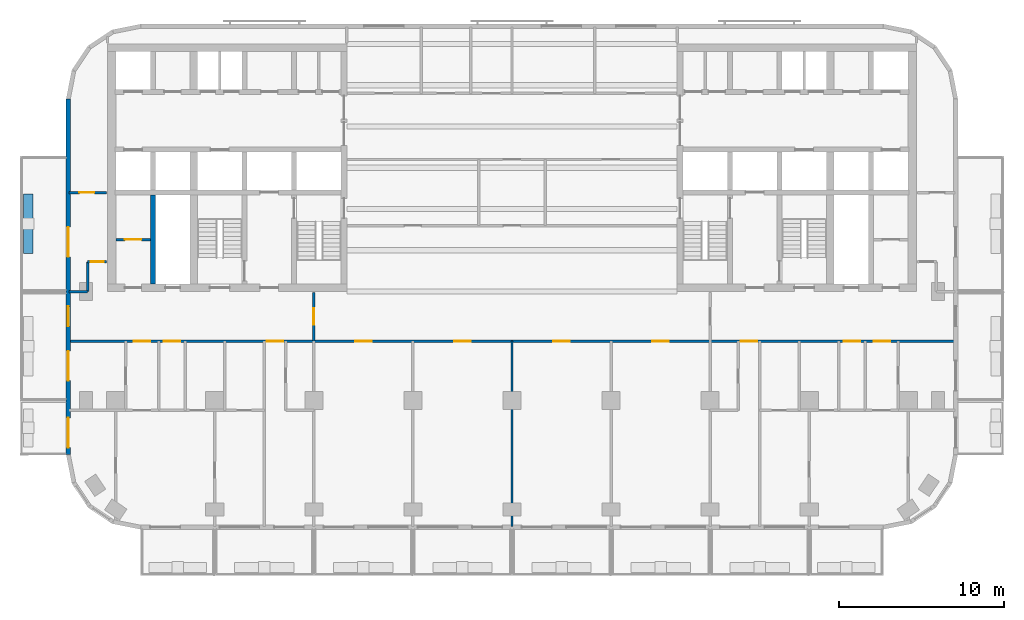
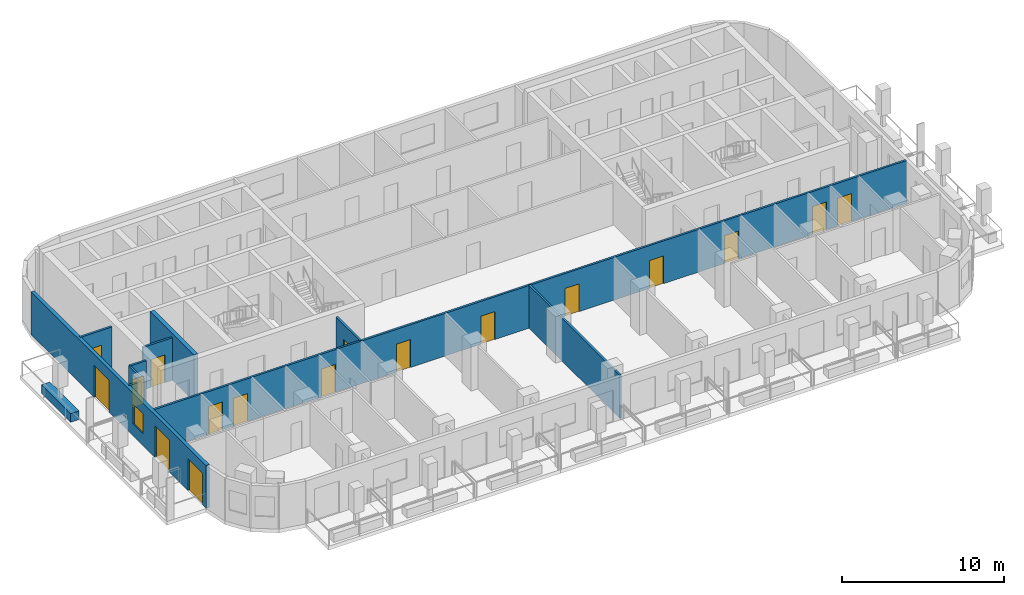
# One storey, part 3 of 12: 17 doors, 11 walls, 1 window, 18 openings.
"""IFC4 building model written with IfcOpenShell, lengths in metres."""

from ifc_helpers import new_model, si_unit, direction, frame, frame_2d, origin, place, context, subcontext, project, spatial, rectangle, extrude, material, layer, layer_set, type_object, element, fill, save


model = new_model("IFC4")

# Units and contexts
model_context = context("Model", 3, precision=1e-05, world=origin(), true_north=direction((0.0, 1.0)))
body_context = subcontext(model_context, "Body", "Model", "MODEL_VIEW")
ifc_project = project(units=[si_unit("LENGTHUNIT", "METRE"), si_unit("AREAUNIT", "SQUARE_METRE"), si_unit("VOLUMEUNIT", "CUBIC_METRE"), si_unit("PLANEANGLEUNIT", "RADIAN"), si_unit("MASSUNIT", "GRAM", prefix="KILO")], contexts=[model_context])

# Site, building, storey
site_placement = place(None, origin())
site = spatial("IfcSite", under=ifc_project, at=site_placement, CompositionType="ELEMENT")
building_placement = place(site_placement, origin())
building = spatial("IfcBuilding", under=site, at=building_placement, Name="Torana Hotel and Residences", CompositionType="ELEMENT")
storey_placement = place(building_placement, frame((0.0, 0.0, 201.10009765625)))
storey = spatial("IfcBuildingStorey", under=building, at=storey_placement, Name="L52", CompositionType="ELEMENT", Elevation=201.10009765625)

# Wall
ifc_material_1 = material(Name="Concrete C70/85", Category="concrete")
ifc_layer_1 = layer(ifc_material_1, 0.300048828125)
ifc_layer_set_1 = layer_set([ifc_layer_1], Name="CORE WALL 300 C70/85")
wall_type_1 = type_object("IfcWallType", Name="CORE WALL 300 C70/85", PredefinedType="SHEAR", material=ifc_layer_set_1)
wall_1_placement = place(storey_placement, frame((-21.75, -14.550048828125, 0.0), z_axis=(0.0, 0.0, 1.0), x_axis=(0.0, 1.0, 0.0)))
element("IfcWall", 1, at=wall_1_placement, inside=storey, type_object=wall_type_1, Name="Core wall W mm-band", PredefinedType="SHEAR", context=body_context, shape_type="SweptSolid", body=[
    extrude(rectangle(XDim=5.400146484375, YDim=0.300048828125, at=frame_2d((2.7001953125, 0.0))), origin(), (0.0, 0.0, 1.0), 3.5),
])

# Wall, openings, doors, window
ifc_material_2 = material(Name="Black aluminium composite panel", Category="aluminium")
ifc_layer_2 = layer(ifc_material_2, 0.00390625, Name="Cladding", Category="cladding")
ifc_material_3 = material(Name="Ventilated air cavity")
ifc_layer_3 = layer(ifc_material_3, 0.0400390625, Name="Ventilated cavity", Category="cavity")
ifc_material_4 = material(Name="Mineral wool insulation")
ifc_layer_4 = layer(ifc_material_4, 0.090087890625, Name="Insulation", Category="insulation")
ifc_material_5 = material(Name="Steel S280GD", Category="steel")
ifc_layer_5 = layer(ifc_material_5, 0.092041015625, Name="Steel stud frame", Category="structure")
ifc_material_6 = material(Name="Fire rated plasterboard")
ifc_layer_6 = layer(ifc_material_6, 0.011962890625, Name="Inner board", Category="finish")
ifc_layer_7 = layer(ifc_material_6, 0.011962890625, Name="Second board", Category="finish")
ifc_layer_set_2 = layer_set([ifc_layer_2, ifc_layer_3, ifc_layer_4, ifc_layer_5, ifc_layer_6, ifc_layer_7], Name="EW1 EXTERNAL WALL BLACK METAL CLAD 250")
wall_type_2 = type_object("IfcWallType", Name="EW1 EXTERNAL WALL BLACK METAL CLAD 250", PredefinedType="SOLIDWALL", material=ifc_layer_set_2)
wall_2_placement = place(storey_placement, frame((-26.875, -3.32470703125, 0.0), z_axis=(0.0, 0.0, 1.0), x_axis=(0.0, -1.0, 0.0)))
wall_2 = element("IfcWall", 2, at=wall_2_placement, inside=storey, type_object=wall_type_2, Name="External wall L52 e0.9", PredefinedType="SOLIDWALL", context=body_context, shape_type="SweptSolid", body=[
    extrude(rectangle(XDim=21.55078125, YDim=0.25, at=frame_2d((10.775390625, 0.0))), origin(), (0.0, 0.0, 1.0), 3.219970703125),
])
opening_1_placement = place(wall_2_placement, frame((7.775390625, 0.0, 0.0)))
opening_1 = element("IfcOpeningElement", 3, at=opening_1_placement, cuts=wall_2, Name="Opening L52-E12", PredefinedType="OPENING", context=body_context, shape_type="SweptSolid", body=[
    extrude(rectangle(XDim=1.800048828125, YDim=2.39990234375, at=frame_2d((0.89990234375, 1.199951171875))), frame((0.0, 0.135009765625, 0.0), z_axis=(0.0, -1.0, 0.0), x_axis=(1.0, 0.0, 0.0)), (0.0, 0.0, 1.0), 0.27001953125),
])
opening_2_placement = place(wall_2_placement, frame((12.575439453125, 0.0, 0.89990234375)))
opening_2 = element("IfcOpeningElement", 4, at=opening_2_placement, cuts=wall_2, Name="Opening W5", PredefinedType="OPENING", context=body_context, shape_type="SweptSolid", body=[
    extrude(rectangle(XDim=1.199951171875, YDim=1.5, at=frame_2d((0.60009765625, 0.75))), frame((0.0, 0.135009765625, 0.0), z_axis=(0.0, -1.0, 0.0), x_axis=(1.0, 0.0, 0.0)), (0.0, 0.0, 1.0), 0.27001953125),
])
opening_3_placement = place(wall_2_placement, frame((15.275390625, 0.0, 0.0)))
opening_3 = element("IfcOpeningElement", 5, at=opening_3_placement, cuts=wall_2, Name="Opening L52-E13", PredefinedType="OPENING", context=body_context, shape_type="SweptSolid", body=[
    extrude(rectangle(XDim=1.800048828125, YDim=2.39990234375, at=frame_2d((0.89990234375, 1.199951171875))), frame((0.0, 0.135009765625, 0.0), z_axis=(0.0, -1.0, 0.0), x_axis=(1.0, 0.0, 0.0)), (0.0, 0.0, 1.0), 0.27001953125),
])
opening_4_placement = place(wall_2_placement, frame((19.325439453125, 0.0, 0.0)))
opening_4 = element("IfcOpeningElement", 6, at=opening_4_placement, cuts=wall_2, Name="Opening L52-E14", PredefinedType="OPENING", context=body_context, shape_type="SweptSolid", body=[
    extrude(rectangle(XDim=1.800048828125, YDim=2.39990234375, at=frame_2d((0.89990234375, 1.199951171875))), frame((0.0, 0.135009765625, 0.0), z_axis=(0.0, -1.0, 0.0), x_axis=(1.0, 0.0, 0.0)), (0.0, 0.0, 1.0), 0.27001953125),
])
ifc_material_7 = material(Name="Dark glass in black aluminium frame", Category="aluminium")
door_type_1 = type_object("IfcDoorType", Name="DB1 BALCONY DOOR 1800x2400", OperationType="DOUBLE_DOOR_SINGLE_SWING", PredefinedType="DOOR", material=ifc_material_7)
door_1_placement = place(opening_1_placement, origin())
door_1 = element("IfcDoor", 7, at=door_1_placement, inside=storey, type_object=door_type_1, Name="Balcony door L52", OperationType="DOUBLE_DOOR_SINGLE_SWING", OverallHeight=2.39990234375, OverallWidth=1.800048828125, PredefinedType="DOOR", context=body_context, shape_type="SweptSolid", body=[
    extrude(rectangle(XDim=1.800048828125, YDim=2.39990234375, at=frame_2d((0.89990234375, 1.199951171875))), frame((0.0, 0.02490234375, 0.0), z_axis=(0.0, -1.0, 0.0), x_axis=(1.0, 0.0, 0.0)), (0.0, 0.0, 1.0), 0.050048828125),
])
fill(opening_1, door_1)
door_2_placement = place(opening_3_placement, origin())
door_2 = element("IfcDoor", 8, at=door_2_placement, inside=storey, type_object=door_type_1, Name="Balcony door L52", OperationType="DOUBLE_DOOR_SINGLE_SWING", OverallHeight=2.39990234375, OverallWidth=1.800048828125, PredefinedType="DOOR", context=body_context, shape_type="SweptSolid", body=[
    extrude(rectangle(XDim=1.800048828125, YDim=2.39990234375, at=frame_2d((0.89990234375, 1.199951171875))), frame((0.0, 0.02490234375, 0.0), z_axis=(0.0, -1.0, 0.0), x_axis=(1.0, 0.0, 0.0)), (0.0, 0.0, 1.0), 0.050048828125),
])
fill(opening_3, door_2)
door_3_placement = place(opening_4_placement, origin())
door_3 = element("IfcDoor", 9, at=door_3_placement, inside=storey, type_object=door_type_1, Name="Balcony door L52", OperationType="DOUBLE_DOOR_SINGLE_SWING", OverallHeight=2.39990234375, OverallWidth=1.800048828125, PredefinedType="DOOR", context=body_context, shape_type="SweptSolid", body=[
    extrude(rectangle(XDim=1.800048828125, YDim=2.39990234375, at=frame_2d((0.89990234375, 1.199951171875))), frame((0.0, 0.02490234375, 0.0), z_axis=(0.0, -1.0, 0.0), x_axis=(1.0, 0.0, 0.0)), (0.0, 0.0, 1.0), 0.050048828125),
])
fill(opening_4, door_3)
ifc_material_8 = material(Name="Dark glass in black aluminium frame", Category="aluminium")
window_type = type_object("IfcWindowType", Name="W5 CORNER FACET WINDOW 1200x1500", PartitioningType="SINGLE_PANEL", PredefinedType="WINDOW", material=ifc_material_8)
window_placement = place(opening_2_placement, origin())
window = element("IfcWindow", 10, at=window_placement, inside=storey, type_object=window_type, Name="Window L52", OverallHeight=1.5, OverallWidth=1.199951171875, PartitioningType="SINGLE_PANEL", PredefinedType="WINDOW", context=body_context, shape_type="SweptSolid", body=[
    extrude(rectangle(XDim=1.199951171875, YDim=1.5, at=frame_2d((0.60009765625, 0.75))), frame((0.0, 0.030029296875, 0.0), z_axis=(0.0, -1.0, 0.0), x_axis=(1.0, 0.0, 0.0)), (0.0, 0.0, 1.0), 0.06005859375),
])
fill(opening_2, window)

# Wall, opening, door
ifc_material_9 = material(Name="Gypsum plaster")
ifc_layer_8 = layer(ifc_material_9, 0.014892578125, Name="Plaster", Category="finish")
ifc_material_10 = material(Name="Concrete blockwork", Category="masonry")
ifc_layer_9 = layer(ifc_material_10, 0.1201171875, Name="Blockwork", Category="structure")
ifc_layer_10 = layer(ifc_material_9, 0.014892578125, Name="Plaster", Category="finish")
ifc_layer_set_3 = layer_set([ifc_layer_8, ifc_layer_9, ifc_layer_10], Name="FIRE PARTITION 150 BLOCKWORK")
wall_type_3 = type_object("IfcWallType", Name="FIRE PARTITION 150 BLOCKWORK", PredefinedType="PARTITIONING", material=ifc_layer_set_3)
wall_3_placement = place(storey_placement, frame((-24.0, -11.85009765625, 0.0), z_axis=(0.0, 0.0, 1.0), x_axis=(1.0, 0.0, 0.0)))
wall_3 = element("IfcWall", 11, at=wall_3_placement, inside=storey, type_object=wall_type_3, Name="Core partition L52", PredefinedType="PARTITIONING", context=body_context, shape_type="SweptSolid", body=[
    extrude(rectangle(XDim=2.10009765625, YDim=0.14990234375, at=frame_2d((1.050048828125, 0.0))), origin(), (0.0, 0.0, 1.0), 3.199951171875),
])
opening_5_placement = place(wall_3_placement, frame((0.550048828125, 0.0, 0.0)))
opening_5 = element("IfcOpeningElement", 12, at=opening_5_placement, cuts=wall_3, Name="Opening L52-31", PredefinedType="OPENING", context=body_context, shape_type="SweptSolid", body=[
    extrude(rectangle(XDim=1.0, YDim=2.10009765625, at=frame_2d((0.5, 1.050048828125))), frame((0.0, 0.0849609375, 0.0), z_axis=(0.0, -1.0, 0.0), x_axis=(1.0, 0.0, 0.0)), (0.0, 0.0, 1.0), 0.169921875),
])
ifc_material_11 = material(Name="Steel S235", Category="steel")
door_type_2 = type_object("IfcDoorType", Name="CORE ROOM FIRE DOOR D14 1000x2100", OperationType="SINGLE_SWING_LEFT", PredefinedType="DOOR", material=ifc_material_11)
door_4_placement = place(opening_5_placement, origin())
door_4 = element("IfcDoor", 13, at=door_4_placement, inside=storey, type_object=door_type_2, Name="Plant room door L52", OperationType="SINGLE_SWING_RIGHT", OverallHeight=2.10009765625, OverallWidth=1.0, PredefinedType="DOOR", context=body_context, shape_type="SweptSolid", body=[
    extrude(rectangle(XDim=1.0, YDim=2.10009765625, at=frame_2d((0.5, 1.050048828125))), frame((0.0, 0.02490234375, 0.0), z_axis=(0.0, -1.0, 0.0), x_axis=(1.0, 0.0, 0.0)), (0.0, 0.0, 1.0), 0.050048828125),
])
fill(opening_5, door_4)

wall_4_placement = place(storey_placement, frame((-12.0, -18.0, 0.0), z_axis=(0.0, 0.0, 1.0), x_axis=(0.0, 1.0, 0.0)))
wall_4 = element("IfcWall", 14, at=wall_4_placement, inside=storey, type_object=wall_type_3, Name="Partition L52", PredefinedType="PARTITIONING", context=body_context, shape_type="SweptSolid", body=[
    extrude(rectangle(XDim=2.949951171875, YDim=0.14990234375, at=frame_2d((1.47509765625, 0.0))), origin(), (0.0, 0.0, 1.0), 3.219970703125),
])
opening_6_placement = place(wall_4_placement, frame((1.0, 0.0, 0.0)))
opening_6 = element("IfcOpeningElement", 15, at=opening_6_placement, cuts=wall_4, Name="Opening L52-33", PredefinedType="OPENING", context=body_context, shape_type="SweptSolid", body=[
    extrude(rectangle(XDim=1.0, YDim=2.10009765625, at=frame_2d((0.5, 1.050048828125))), frame((0.0, 0.0849609375, 0.0), z_axis=(0.0, -1.0, 0.0), x_axis=(1.0, 0.0, 0.0)), (0.0, 0.0, 1.0), 0.169921875),
])
ifc_material_12 = material(Name="Steel S235", Category="steel")
door_type_3 = type_object("IfcDoorType", Name="ENTRY FIRE DOOR D6 1000x2100", OperationType="SINGLE_SWING_LEFT", PredefinedType="DOOR", material=ifc_material_12)
door_5_placement = place(opening_6_placement, origin())
door_5 = element("IfcDoor", 16, at=door_5_placement, inside=storey, type_object=door_type_3, Name="Door L52", OperationType="SINGLE_SWING_RIGHT", OverallHeight=2.10009765625, OverallWidth=1.0, PredefinedType="DOOR", context=body_context, shape_type="SweptSolid", body=[
    extrude(rectangle(XDim=1.0, YDim=2.10009765625, at=frame_2d((0.5, 1.050048828125))), frame((0.0, 0.02490234375, 0.0), z_axis=(0.0, -1.0, 0.0), x_axis=(1.0, 0.0, 0.0)), (0.0, 0.0, 1.0), 0.050048828125),
])
fill(opening_6, door_5)

# Wall
wall_5_placement = place(storey_placement, frame((-25.699951171875, -15.0, 0.0), z_axis=(0.0, 0.0, 1.0), x_axis=(0.0, 1.0, 0.0)))
element("IfcWall", 17, at=wall_5_placement, inside=storey, type_object=wall_type_3, Name="Partition L52", PredefinedType="PARTITIONING", context=body_context, shape_type="SweptSolid", body=[
    extrude(rectangle(XDim=1.800048828125, YDim=0.14990234375, at=frame_2d((0.89990234375, 0.0))), origin(), (0.0, 0.0, 1.0), 3.219970703125),
])

# Wall, openings, doors
wall_6_placement = place(storey_placement, frame((-26.820068359375, -18.0, 0.0), z_axis=(0.0, 0.0, 1.0), x_axis=(1.0, 0.0, 0.0)))
wall_6 = element("IfcWall", 18, at=wall_6_placement, inside=storey, type_object=wall_type_3, Name="Partition L52", PredefinedType="PARTITIONING", context=body_context, shape_type="SweptSolid", body=[
    extrude(rectangle(XDim=53.64013671875, YDim=0.14990234375, at=frame_2d((26.820068359375, 0.0))), origin(), (0.0, 0.0, 1.0), 3.219970703125),
])
opening_7_placement = place(wall_6_placement, frame((11.969970703125, 0.0, 0.0)))
opening_7 = element("IfcOpeningElement", 19, at=opening_7_placement, cuts=wall_6, Name="Opening L52-34", PredefinedType="OPENING", context=body_context, shape_type="SweptSolid", body=[
    extrude(rectangle(XDim=1.0, YDim=2.10009765625, at=frame_2d((0.5, 1.050048828125))), frame((0.0, 0.0849609375, 0.0), z_axis=(0.0, -1.0, 0.0), x_axis=(1.0, 0.0, 0.0)), (0.0, 0.0, 1.0), 0.169921875),
])
opening_8_placement = place(wall_6_placement, frame((3.919921875, 0.0, 0.0)))
opening_8 = element("IfcOpeningElement", 20, at=opening_8_placement, cuts=wall_6, Name="Opening L52-35", PredefinedType="OPENING", context=body_context, shape_type="SweptSolid", body=[
    extrude(rectangle(XDim=1.0, YDim=2.10009765625, at=frame_2d((0.5, 1.050048828125))), frame((0.0, 0.0849609375, 0.0), z_axis=(0.0, -1.0, 0.0), x_axis=(1.0, 0.0, 0.0)), (0.0, 0.0, 1.0), 0.169921875),
])
opening_9_placement = place(wall_6_placement, frame((5.719970703125, 0.0, 0.0)))
opening_9 = element("IfcOpeningElement", 21, at=opening_9_placement, cuts=wall_6, Name="Opening L52-36", PredefinedType="OPENING", context=body_context, shape_type="SweptSolid", body=[
    extrude(rectangle(XDim=1.0, YDim=2.10009765625, at=frame_2d((0.5, 1.050048828125))), frame((0.0, 0.0849609375, 0.0), z_axis=(0.0, -1.0, 0.0), x_axis=(1.0, 0.0, 0.0)), (0.0, 0.0, 1.0), 0.169921875),
])
opening_10_placement = place(wall_6_placement, frame((40.669921875, 0.0, 0.0)))
opening_10 = element("IfcOpeningElement", 22, at=opening_10_placement, cuts=wall_6, Name="Opening L52-39", PredefinedType="OPENING", context=body_context, shape_type="SweptSolid", body=[
    extrude(rectangle(XDim=1.0, YDim=2.10009765625, at=frame_2d((0.5, 1.050048828125))), frame((0.0, 0.0849609375, 0.0), z_axis=(0.0, -1.0, 0.0), x_axis=(1.0, 0.0, 0.0)), (0.0, 0.0, 1.0), 0.169921875),
])
opening_11_placement = place(wall_6_placement, frame((48.719970703125, 0.0, 0.0)))
opening_11 = element("IfcOpeningElement", 23, at=opening_11_placement, cuts=wall_6, Name="Opening L52-40", PredefinedType="OPENING", context=body_context, shape_type="SweptSolid", body=[
    extrude(rectangle(XDim=1.0, YDim=2.10009765625, at=frame_2d((0.5, 1.050048828125))), frame((0.0, 0.0849609375, 0.0), z_axis=(0.0, -1.0, 0.0), x_axis=(1.0, 0.0, 0.0)), (0.0, 0.0, 1.0), 0.169921875),
])
opening_12_placement = place(wall_6_placement, frame((46.919921875, 0.0, 0.0)))
opening_12 = element("IfcOpeningElement", 24, at=opening_12_placement, cuts=wall_6, Name="Opening L52-41", PredefinedType="OPENING", context=body_context, shape_type="SweptSolid", body=[
    extrude(rectangle(XDim=1.0, YDim=2.10009765625, at=frame_2d((0.5, 1.050048828125))), frame((0.0, 0.0849609375, 0.0), z_axis=(0.0, -1.0, 0.0), x_axis=(1.0, 0.0, 0.0)), (0.0, 0.0, 1.0), 0.169921875),
])
opening_13_placement = place(wall_6_placement, frame((17.320068359375, 0.0, 0.0)))
opening_13 = element("IfcOpeningElement", 25, at=opening_13_placement, cuts=wall_6, Name="Opening L52-44", PredefinedType="OPENING", context=body_context, shape_type="SweptSolid", body=[
    extrude(rectangle(XDim=1.0, YDim=2.10009765625, at=frame_2d((0.5, 1.050048828125))), frame((0.0, 0.0849609375, 0.0), z_axis=(0.0, -1.0, 0.0), x_axis=(1.0, 0.0, 0.0)), (0.0, 0.0, 1.0), 0.169921875),
])
opening_14_placement = place(wall_6_placement, frame((23.320068359375, 0.0, 0.0)))
opening_14 = element("IfcOpeningElement", 26, at=opening_14_placement, cuts=wall_6, Name="Opening L52-45", PredefinedType="OPENING", context=body_context, shape_type="SweptSolid", body=[
    extrude(rectangle(XDim=1.0, YDim=2.10009765625, at=frame_2d((0.5, 1.050048828125))), frame((0.0, 0.0849609375, 0.0), z_axis=(0.0, -1.0, 0.0), x_axis=(1.0, 0.0, 0.0)), (0.0, 0.0, 1.0), 0.169921875),
])
opening_15_placement = place(wall_6_placement, frame((29.320068359375, 0.0, 0.0)))
opening_15 = element("IfcOpeningElement", 27, at=opening_15_placement, cuts=wall_6, Name="Opening L52-46", PredefinedType="OPENING", context=body_context, shape_type="SweptSolid", body=[
    extrude(rectangle(XDim=1.0, YDim=2.10009765625, at=frame_2d((0.5, 1.050048828125))), frame((0.0, 0.0849609375, 0.0), z_axis=(0.0, -1.0, 0.0), x_axis=(1.0, 0.0, 0.0)), (0.0, 0.0, 1.0), 0.169921875),
])
opening_16_placement = place(wall_6_placement, frame((35.320068359375, 0.0, 0.0)))
opening_16 = element("IfcOpeningElement", 28, at=opening_16_placement, cuts=wall_6, Name="Opening L52-47", PredefinedType="OPENING", context=body_context, shape_type="SweptSolid", body=[
    extrude(rectangle(XDim=1.0, YDim=2.10009765625, at=frame_2d((0.5, 1.050048828125))), frame((0.0, 0.0849609375, 0.0), z_axis=(0.0, -1.0, 0.0), x_axis=(1.0, 0.0, 0.0)), (0.0, 0.0, 1.0), 0.169921875),
])
door_6_placement = place(opening_7_placement, frame((0.5, 0.0, 0.0), z_axis=(0.0, 0.0, 1.0), x_axis=(-1.0, 0.0, 0.0)))
door_6 = element("IfcDoor", 29, at=door_6_placement, inside=storey, type_object=door_type_3, Name="Door L52", OperationType="SINGLE_SWING_LEFT", OverallHeight=2.10009765625, OverallWidth=1.0, PredefinedType="DOOR", context=body_context, shape_type="SweptSolid", body=[
    extrude(rectangle(XDim=1.0, YDim=2.10009765625, at=frame_2d((0.0, 1.050048828125))), frame((0.0, -0.02490234375, 0.0), z_axis=(0.0, 1.0, 0.0), x_axis=(-1.0, 0.0, 0.0)), (0.0, 0.0, 1.0), 0.050048828125),
])
fill(opening_7, door_6)
door_7_placement = place(opening_8_placement, origin())
door_7 = element("IfcDoor", 30, at=door_7_placement, inside=storey, type_object=door_type_3, Name="Door L52", OperationType="SINGLE_SWING_RIGHT", OverallHeight=2.10009765625, OverallWidth=1.0, PredefinedType="DOOR", context=body_context, shape_type="SweptSolid", body=[
    extrude(rectangle(XDim=1.0, YDim=2.10009765625, at=frame_2d((0.5, 1.050048828125))), frame((0.0, 0.02490234375, 0.0), z_axis=(0.0, -1.0, 0.0), x_axis=(1.0, 0.0, 0.0)), (0.0, 0.0, 1.0), 0.050048828125),
])
fill(opening_8, door_7)
door_8_placement = place(opening_9_placement, frame((0.5, 0.0, 0.0), z_axis=(0.0, 0.0, 1.0), x_axis=(-1.0, 0.0, 0.0)))
door_8 = element("IfcDoor", 31, at=door_8_placement, inside=storey, type_object=door_type_3, Name="Door L52", OperationType="SINGLE_SWING_LEFT", OverallHeight=2.10009765625, OverallWidth=1.0, PredefinedType="DOOR", context=body_context, shape_type="SweptSolid", body=[
    extrude(rectangle(XDim=1.0, YDim=2.10009765625, at=frame_2d((0.0, 1.050048828125))), frame((0.0, -0.02490234375, 0.0), z_axis=(0.0, 1.0, 0.0), x_axis=(-1.0, 0.0, 0.0)), (0.0, 0.0, 1.0), 0.050048828125),
])
fill(opening_9, door_8)
door_9_placement = place(opening_10_placement, frame((0.5, 0.0, 0.0), z_axis=(0.0, 0.0, 1.0), x_axis=(-1.0, 0.0, 0.0)))
door_9 = element("IfcDoor", 32, at=door_9_placement, inside=storey, type_object=door_type_3, Name="Door L52", OperationType="SINGLE_SWING_LEFT", OverallHeight=2.10009765625, OverallWidth=1.0, PredefinedType="DOOR", context=body_context, shape_type="SweptSolid", body=[
    extrude(rectangle(XDim=1.0, YDim=2.10009765625, at=frame_2d((0.0, 1.050048828125))), frame((0.0, -0.02490234375, 0.0), z_axis=(0.0, 1.0, 0.0), x_axis=(-1.0, 0.0, 0.0)), (0.0, 0.0, 1.0), 0.050048828125),
])
fill(opening_10, door_9)
door_10_placement = place(opening_11_placement, origin())
door_10 = element("IfcDoor", 33, at=door_10_placement, inside=storey, type_object=door_type_3, Name="Door L52", OperationType="SINGLE_SWING_RIGHT", OverallHeight=2.10009765625, OverallWidth=1.0, PredefinedType="DOOR", context=body_context, shape_type="SweptSolid", body=[
    extrude(rectangle(XDim=1.0, YDim=2.10009765625, at=frame_2d((0.5, 1.050048828125))), frame((0.0, 0.02490234375, 0.0), z_axis=(0.0, -1.0, 0.0), x_axis=(1.0, 0.0, 0.0)), (0.0, 0.0, 1.0), 0.050048828125),
])
fill(opening_11, door_10)
door_11_placement = place(opening_12_placement, frame((0.5, 0.0, 0.0), z_axis=(0.0, 0.0, 1.0), x_axis=(-1.0, 0.0, 0.0)))
door_11 = element("IfcDoor", 34, at=door_11_placement, inside=storey, type_object=door_type_3, Name="Door L52", OperationType="SINGLE_SWING_LEFT", OverallHeight=2.10009765625, OverallWidth=1.0, PredefinedType="DOOR", context=body_context, shape_type="SweptSolid", body=[
    extrude(rectangle(XDim=1.0, YDim=2.10009765625, at=frame_2d((0.0, 1.050048828125))), frame((0.0, -0.02490234375, 0.0), z_axis=(0.0, 1.0, 0.0), x_axis=(-1.0, 0.0, 0.0)), (0.0, 0.0, 1.0), 0.050048828125),
])
fill(opening_12, door_11)
door_12_placement = place(opening_13_placement, frame((0.5, 0.0, 0.0), z_axis=(0.0, 0.0, 1.0), x_axis=(-1.0, 0.0, 0.0)))
door_12 = element("IfcDoor", 35, at=door_12_placement, inside=storey, type_object=door_type_3, Name="Door L52", OperationType="SINGLE_SWING_LEFT", OverallHeight=2.10009765625, OverallWidth=1.0, PredefinedType="DOOR", context=body_context, shape_type="SweptSolid", body=[
    extrude(rectangle(XDim=1.0, YDim=2.10009765625, at=frame_2d((0.0, 1.050048828125))), frame((0.0, -0.02490234375, 0.0), z_axis=(0.0, 1.0, 0.0), x_axis=(-1.0, 0.0, 0.0)), (0.0, 0.0, 1.0), 0.050048828125),
])
fill(opening_13, door_12)
door_13_placement = place(opening_14_placement, frame((0.5, 0.0, 0.0), z_axis=(0.0, 0.0, 1.0), x_axis=(-1.0, 0.0, 0.0)))
door_13 = element("IfcDoor", 36, at=door_13_placement, inside=storey, type_object=door_type_3, Name="Door L52", OperationType="SINGLE_SWING_LEFT", OverallHeight=2.10009765625, OverallWidth=1.0, PredefinedType="DOOR", context=body_context, shape_type="SweptSolid", body=[
    extrude(rectangle(XDim=1.0, YDim=2.10009765625, at=frame_2d((0.0, 1.050048828125))), frame((0.0, -0.02490234375, 0.0), z_axis=(0.0, 1.0, 0.0), x_axis=(-1.0, 0.0, 0.0)), (0.0, 0.0, 1.0), 0.050048828125),
])
fill(opening_14, door_13)
door_14_placement = place(opening_15_placement, frame((0.5, 0.0, 0.0), z_axis=(0.0, 0.0, 1.0), x_axis=(-1.0, 0.0, 0.0)))
door_14 = element("IfcDoor", 37, at=door_14_placement, inside=storey, type_object=door_type_3, Name="Door L52", OperationType="SINGLE_SWING_LEFT", OverallHeight=2.10009765625, OverallWidth=1.0, PredefinedType="DOOR", context=body_context, shape_type="SweptSolid", body=[
    extrude(rectangle(XDim=1.0, YDim=2.10009765625, at=frame_2d((0.0, 1.050048828125))), frame((0.0, -0.02490234375, 0.0), z_axis=(0.0, 1.0, 0.0), x_axis=(-1.0, 0.0, 0.0)), (0.0, 0.0, 1.0), 0.050048828125),
])
fill(opening_15, door_14)
door_15_placement = place(opening_16_placement, frame((0.5, 0.0, 0.0), z_axis=(0.0, 0.0, 1.0), x_axis=(-1.0, 0.0, 0.0)))
door_15 = element("IfcDoor", 38, at=door_15_placement, inside=storey, type_object=door_type_3, Name="Door L52", OperationType="SINGLE_SWING_LEFT", OverallHeight=2.10009765625, OverallWidth=1.0, PredefinedType="DOOR", context=body_context, shape_type="SweptSolid", body=[
    extrude(rectangle(XDim=1.0, YDim=2.10009765625, at=frame_2d((0.0, 1.050048828125))), frame((0.0, -0.02490234375, 0.0), z_axis=(0.0, 1.0, 0.0), x_axis=(-1.0, 0.0, 0.0)), (0.0, 0.0, 1.0), 0.050048828125),
])
fill(opening_16, door_15)

# Wall
wall_7_placement = place(storey_placement, frame((-26.820068359375, -15.0, 0.0), z_axis=(0.0, 0.0, 1.0), x_axis=(1.0, 0.0, 0.0)))
element("IfcWall", 39, at=wall_7_placement, inside=storey, type_object=wall_type_3, Name="Partition L52", PredefinedType="PARTITIONING", context=body_context, shape_type="SweptSolid", body=[
    extrude(rectangle(XDim=1.1201171875, YDim=0.14990234375, at=frame_2d((0.56005859375, 0.0))), origin(), (0.0, 0.0, 1.0), 3.219970703125),
])

# Wall, opening, door
wall_8_placement = place(storey_placement, frame((-25.699951171875, -13.199951171875, 0.0), z_axis=(0.0, 0.0, 1.0), x_axis=(1.0, 0.0, 0.0)))
wall_8 = element("IfcWall", 40, at=wall_8_placement, inside=storey, type_object=wall_type_3, Name="Partition L52", PredefinedType="PARTITIONING", context=body_context, shape_type="SweptSolid", body=[
    extrude(rectangle(XDim=1.14990234375, YDim=0.14990234375, at=frame_2d((0.574951171875, 0.0))), origin(), (0.0, 0.0, 1.0), 3.219970703125),
])
opening_17_placement = place(wall_8_placement, frame((0.175048828125, 0.0, 0.0)))
opening_17 = element("IfcOpeningElement", 41, at=opening_17_placement, cuts=wall_8, Name="Opening L52-37", PredefinedType="OPENING", context=body_context, shape_type="SweptSolid", body=[
    extrude(rectangle(XDim=0.800048828125, YDim=2.10009765625, at=frame_2d((0.39990234375, 1.050048828125))), frame((0.0, 0.0849609375, 0.0), z_axis=(0.0, -1.0, 0.0), x_axis=(1.0, 0.0, 0.0)), (0.0, 0.0, 1.0), 0.169921875),
])
ifc_material_13 = material(Name="Steel S235", Category="steel")
door_type_4 = type_object("IfcDoorType", Name="STORE FIRE DOOR D16 800x2100", OperationType="SINGLE_SWING_LEFT", PredefinedType="DOOR", material=ifc_material_13)
door_16_placement = place(opening_17_placement, origin())
door_16 = element("IfcDoor", 42, at=door_16_placement, inside=storey, type_object=door_type_4, Name="Door L52", OperationType="SINGLE_SWING_LEFT", OverallHeight=2.10009765625, OverallWidth=0.800048828125, PredefinedType="DOOR", context=body_context, shape_type="SweptSolid", body=[
    extrude(rectangle(XDim=0.800048828125, YDim=2.10009765625, at=frame_2d((0.39990234375, 1.050048828125))), frame((0.0, 0.02490234375, 0.0), z_axis=(0.0, -1.0, 0.0), x_axis=(1.0, 0.0, 0.0)), (0.0, 0.0, 1.0), 0.050048828125),
])
fill(opening_17, door_16)

# Wall
ifc_material_14 = material(Name="Gypsum plasterboard")
ifc_layer_11 = layer(ifc_material_14, 0.012451171875, Name="Plasterboard", Category="finish")
ifc_layer_12 = layer(ifc_material_14, 0.012451171875, Name="Plasterboard", Category="finish")
ifc_layer_13 = layer(ifc_material_5, 0.10009765625, Name="Steel studs with mineral wool", Category="insulation")
ifc_layer_14 = layer(ifc_material_14, 0.012451171875, Name="Plasterboard", Category="finish")
ifc_layer_15 = layer(ifc_material_14, 0.012451171875, Name="Plasterboard", Category="finish")
ifc_layer_set_4 = layer_set([ifc_layer_11, ifc_layer_12, ifc_layer_13, ifc_layer_14, ifc_layer_15], Name="PARTITION 150 PLASTERBOARD")
wall_type_4 = type_object("IfcWallType", Name="PARTITION 150 PLASTERBOARD", PredefinedType="PARTITIONING", material=ifc_layer_set_4)
wall_9_placement = place(storey_placement, frame((0.0, -29.219970703125, 0.0), z_axis=(0.0, 0.0, 1.0), x_axis=(0.0, 1.0, 0.0)))
element("IfcWall", 43, at=wall_9_placement, inside=storey, type_object=wall_type_4, Name="Partition L52", PredefinedType="PARTITIONING", context=body_context, shape_type="SweptSolid", body=[
    extrude(rectangle(XDim=11.219970703125, YDim=0.14990234375, at=frame_2d((5.60986328125, 0.0))), origin(), (0.0, 0.0, 1.0), 3.219970703125),
])

# Wall, opening, door
wall_10_placement = place(storey_placement, frame((-26.820068359375, -9.0, 0.0), z_axis=(0.0, 0.0, 1.0), x_axis=(1.0, 0.0, 0.0)))
wall_10 = element("IfcWall", 44, at=wall_10_placement, inside=storey, type_object=wall_type_4, Name="Partition L52", PredefinedType="PARTITIONING", context=body_context, shape_type="SweptSolid", body=[
    extrude(rectangle(XDim=2.27001953125, YDim=0.14990234375, at=frame_2d((1.135009765625, 0.0))), origin(), (0.0, 0.0, 1.0), 3.219970703125),
])
opening_18_placement = place(wall_10_placement, frame((0.6201171875, 0.0, 0.0)))
opening_18 = element("IfcOpeningElement", 45, at=opening_18_placement, cuts=wall_10, Name="Opening L52-70", PredefinedType="OPENING", context=body_context, shape_type="SweptSolid", body=[
    extrude(rectangle(XDim=0.89990234375, YDim=2.10009765625, at=frame_2d((0.449951171875, 1.050048828125))), frame((0.0, 0.0849609375, 0.0), z_axis=(0.0, -1.0, 0.0), x_axis=(1.0, 0.0, 0.0)), (0.0, 0.0, 1.0), 0.169921875),
])
ifc_material_15 = material(Name="Timber door, oiled ash", Category="wood")
door_type_5 = type_object("IfcDoorType", Name="ROOM DOOR D7 900x2100", OperationType="SINGLE_SWING_LEFT", PredefinedType="DOOR", material=ifc_material_15)
door_17_placement = place(opening_18_placement, origin())
door_17 = element("IfcDoor", 46, at=door_17_placement, inside=storey, type_object=door_type_5, Name="Door L52", OperationType="SINGLE_SWING_RIGHT", OverallHeight=2.10009765625, OverallWidth=0.89990234375, PredefinedType="DOOR", context=body_context, shape_type="SweptSolid", body=[
    extrude(rectangle(XDim=0.89990234375, YDim=2.10009765625, at=frame_2d((0.449951171875, 1.050048828125))), frame((0.0, 0.02490234375, 0.0), z_axis=(0.0, -1.0, 0.0), x_axis=(1.0, 0.0, 0.0)), (0.0, 0.0, 1.0), 0.050048828125),
])
fill(opening_18, door_17)

# Wall
ifc_material_16 = material(Name="Concrete C40/50 precast", Category="concrete")
ifc_layer_16 = layer(ifc_material_16, 0.10009765625, Name="Planter shell", Category="structure")
ifc_material_17 = material(Name="Root resistant membrane")
ifc_layer_17 = layer(ifc_material_17, 0.00390625, Name="Waterproofing membrane", Category="membrane")
ifc_material_18 = material(Name="Drainage board with filter fleece")
ifc_layer_18 = layer(ifc_material_18, 0.02001953125, Name="Drainage board", Category="drainage")
ifc_material_19 = material(Name="Growing medium")
ifc_layer_19 = layer(ifc_material_19, 0.47607421875, Name="Planting substrate", Category="soil")
ifc_layer_set_5 = layer_set([ifc_layer_16, ifc_layer_17, ifc_layer_18, ifc_layer_19], Name="PL1 BALCONY PLANTER 600")
wall_type_5 = type_object("IfcWallType", Name="PL1 BALCONY PLANTER 600", PredefinedType="USERDEFINED", material=ifc_layer_set_5)
wall_11_placement = place(storey_placement, frame((-29.300048828125, -12.699951171875, 0.0), z_axis=(0.0, 0.0, 1.0), x_axis=(0.0, 1.0, 0.0)))
element("IfcWall", 47, at=wall_11_placement, inside=storey, type_object=wall_type_5, Name="Planter 11", ObjectType="PLANTER", PredefinedType="USERDEFINED", context=body_context, shape_type="SweptSolid", body=[
    extrude(rectangle(XDim=3.599853515625, YDim=0.60009765625, at=frame_2d((1.7998046875, 0.0))), origin(), (0.0, 0.0, 1.0), 0.64990234375),
])

save(model, "model.ifc")
